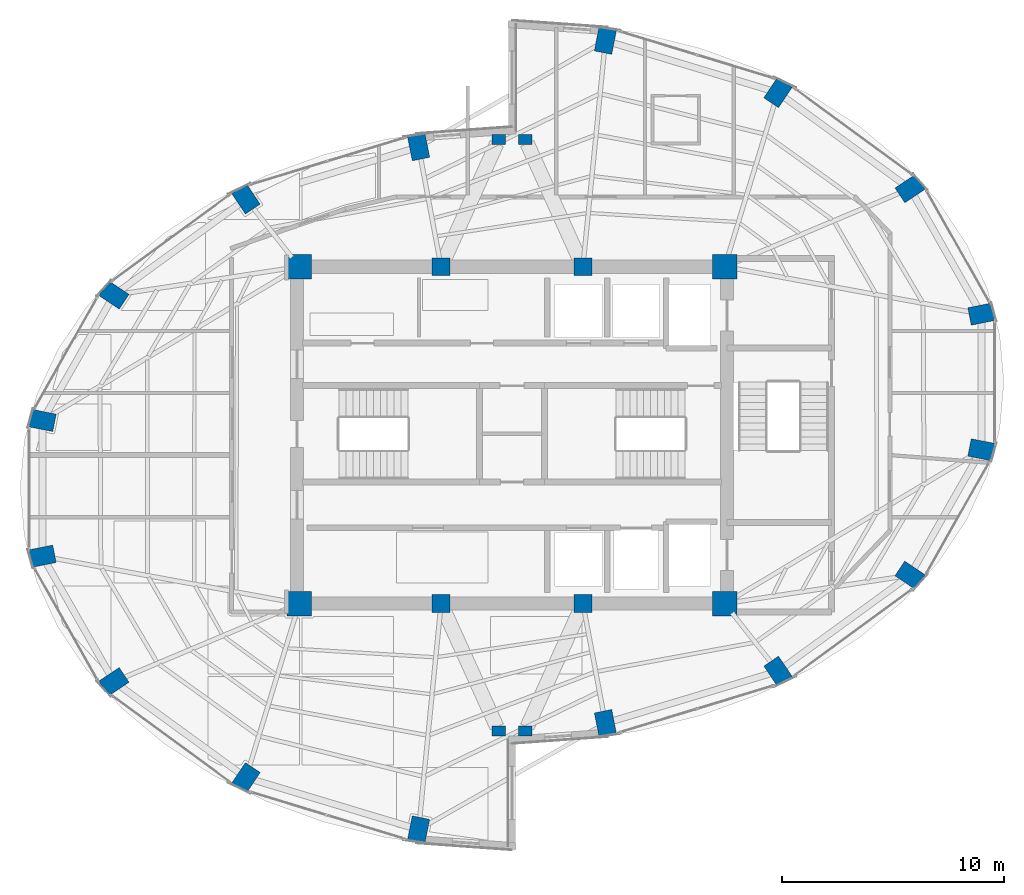
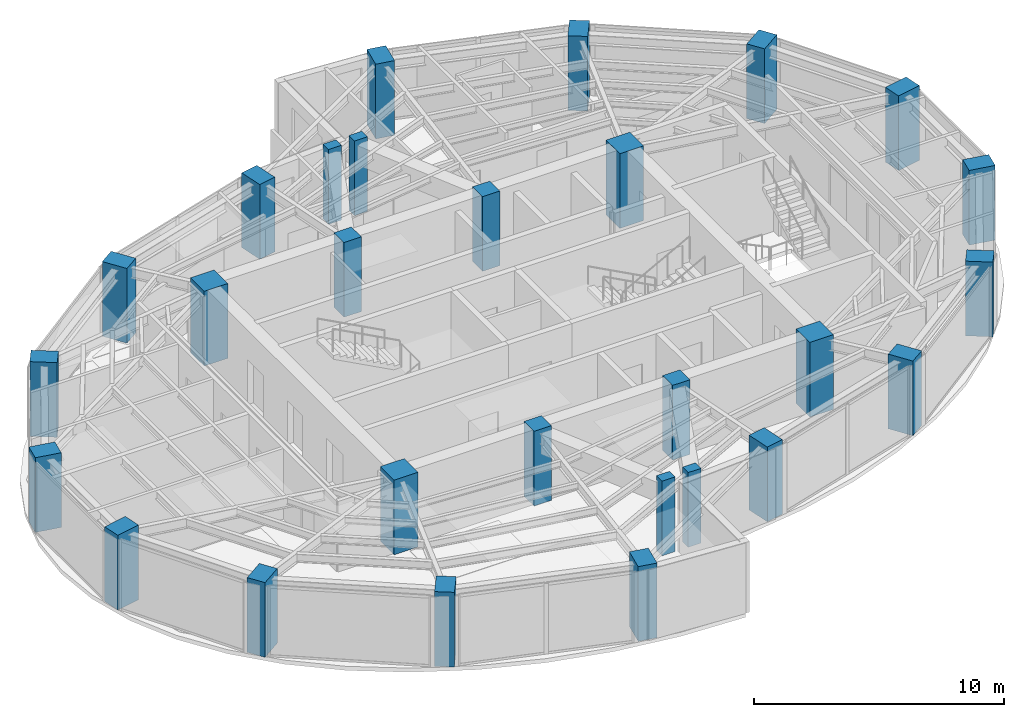
# One storey, part 1 of 23: 28 columns.
"""IFC4 building model written with IfcOpenShell, lengths in metres."""

from ifc_helpers import new_model, si_unit, direction, frame, origin, origin_2d, place, context, subcontext, project, spatial, rectangle, extrude, material, material_profile, profile_set, type_object, element, save


model = new_model("IFC4")

# Units and contexts
model_context = context("Model", 3, precision=1e-05, world=origin(), true_north=direction((0.0, 1.0)))
body_context = subcontext(model_context, "Body", "Model", "MODEL_VIEW")
ifc_project = project(units=[si_unit("LENGTHUNIT", "METRE"), si_unit("AREAUNIT", "SQUARE_METRE"), si_unit("VOLUMEUNIT", "CUBIC_METRE"), si_unit("PLANEANGLEUNIT", "RADIAN"), si_unit("MASSUNIT", "GRAM", prefix="KILO")], contexts=[model_context])

# Site, building, storey
site_placement = place(None, origin())
site = spatial("IfcSite", under=ifc_project, at=site_placement, CompositionType="ELEMENT")
building_placement = place(site_placement, origin())
building = spatial("IfcBuilding", under=site, at=building_placement, Name="Lazwardi Medical Tower", CompositionType="ELEMENT")
storey_placement = place(building_placement, frame((0.0, 0.0, 202.1279296875)))
storey = spatial("IfcBuildingStorey", under=building, at=storey_placement, Name="L52", CompositionType="ELEMENT", Elevation=202.1279296875)

# Columns
ifc_material_1 = material(Name="Concrete C80/95", Category="concrete")
ifc_material_profile_1 = material_profile(ifc_material_1, rectangle(XDim=1.10009765625, YDim=1.10009765625, at=origin_2d()), Name="RC 1100x1100")
ifc_profile_set_1 = profile_set([ifc_material_profile_1], Name="Concrete C80/95")
column_type_1 = type_object("IfcColumnType", Name="COL-CC-L", PredefinedType="COLUMN", material=ifc_profile_set_1)
for number, where, z_axis, x_axis, name in (
    (1, (26.39990234375, 20.39990234375, 0.0), (0.0, 0.0, 1.0), (1.0, 0.0, 0.0), "Core column CC-01 CC1 L52"),
    (2, (45.60009765625, 20.39990234375, 0.0), (0.0, 0.0, 1.0), (1.0, 0.0, 0.0), "Core column CC-01 CC4 L52"),
    (3, (45.60009765625, 35.60009765625, 0.0), (0.0, 0.0, 1.0), (1.0, 0.0, 0.0), "Core column CC-01 CC5 L52"),
    (4, (26.39990234375, 35.60009765625, 0.0), (0.0, 0.0, 1.0), (1.0, 0.0, 0.0), "Core column CC-01 CC8 L52"),
):
    element("IfcColumn", number, at=place(storey_placement, frame(where, z_axis=z_axis, x_axis=x_axis)), inside=storey, type_object=column_type_1, Name=name, PredefinedType="COLUMN", context=body_context, shape_type="SweptSolid", body=[
        extrude(rectangle(XDim=1.10009765625, YDim=1.10009765625, at=origin_2d()), origin(), (0.0, 0.0, 1.0), 3.64794921875),
    ])
ifc_material_2 = material(Name="Concrete C60/75", Category="concrete")
ifc_material_profile_2 = material_profile(ifc_material_2, rectangle(XDim=0.800048828125, YDim=0.800048828125, at=origin_2d()), Name="RC 800x800")
ifc_profile_set_2 = profile_set([ifc_material_profile_2], Name="Concrete C60/75")
column_type_2 = type_object("IfcColumnType", Name="COL-CC-U", PredefinedType="COLUMN", material=ifc_profile_set_2)
for number, where, z_axis, x_axis, name in (
    (5, (32.800048828125, 20.39990234375, 0.0), (0.0, 0.0, 1.0), (1.0, 0.0, 0.0), "Core column CC-03 CC2 L52"),
    (6, (39.199951171875, 20.39990234375, 0.0), (0.0, 0.0, 1.0), (1.0, 0.0, 0.0), "Core column CC-03 CC3 L52"),
    (7, (39.199951171875, 35.60009765625, 0.0), (0.0, 0.0, 1.0), (1.0, 0.0, 0.0), "Core column CC-03 CC6 L52"),
    (8, (32.800048828125, 35.60009765625, 0.0), (0.0, 0.0, 1.0), (1.0, 0.0, 0.0), "Core column CC-03 CC7 L52"),
):
    element("IfcColumn", number, at=place(storey_placement, frame(where, z_axis=z_axis, x_axis=x_axis)), inside=storey, type_object=column_type_2, Name=name, PredefinedType="COLUMN", context=body_context, shape_type="SweptSolid", body=[
        extrude(rectangle(XDim=0.800048828125, YDim=0.800048828125, at=origin_2d()), origin(), (0.0, 0.0, 1.0), 3.64794921875),
    ])
ifc_material_profile_3 = material_profile(ifc_material_2, rectangle(XDim=1.10009765625, YDim=0.800048828125, at=origin_2d()), Name="CFT-RECT 1100x800")
ifc_profile_set_3 = profile_set([ifc_material_profile_3], Name="Concrete C60/75")
column_type_3 = type_object("IfcColumnType", Name="COL-MC-Z4", PredefinedType="COLUMN", material=ifc_profile_set_3)
for number, where, z_axis, x_axis, name in (
    (9, (40.214111328125, 15.001708984375, 0.0), (0.0, 0.0, 1.0), (0.195090322016, -0.980785280403, 0.0), "Mega column MC-06 M01 L52"),
    (10, (48.000244140625, 17.345947265625, 0.0), (0.0, 0.0, 1.0), (0.55557023302, -0.831469612303, 0.0), "Mega column MC-06 M02 L52"),
    (11, (53.959716796875, 21.677490234375, 0.0), (0.0, 0.0, 1.0), (0.831469612303, -0.55557023302, 0.0), "Mega column MC-06 M03 L52"),
    (12, (57.18505859375, 27.337158203125, 0.0), (0.0, 0.0, 1.0), (0.980785280403, -0.195090322016, 0.0), "Mega column MC-06 M04 L52"),
    (13, (57.18505859375, 33.462890625, 0.0), (0.0, 0.0, 1.0), (0.980785280403, 0.195090322016, 0.0), "Mega column MC-06 M05 L52"),
    (14, (53.959716796875, 39.12255859375, 0.0), (0.0, 0.0, 1.0), (0.831469612303, 0.55557023302, 0.0), "Mega column MC-06 M06 L52"),
    (15, (48.000244140625, 43.4541015625, 0.0), (0.0, 0.0, 1.0), (0.55557023302, 0.831469612303, 0.0), "Mega column MC-06 M07 L52"),
    (16, (40.214111328125, 45.79833984375, 0.0), (0.0, 0.0, 1.0), (0.195090322016, 0.980785280403, 0.0), "Mega column MC-06 M08 L52"),
    (17, (31.785888671875, 40.998291015625, 0.0), (0.0, 0.0, 1.0), (-0.195090322016, 0.980785280403, 0.0), "Mega column MC-06 M09 L52"),
    (18, (23.999755859375, 38.654052734375, 0.0), (0.0, 0.0, 1.0), (-0.55557023302, 0.831469612303, 0.0), "Mega column MC-06 M10 L52"),
    (19, (18.040283203125, 34.322509765625, 0.0), (0.0, 0.0, 1.0), (-0.831469612303, 0.55557023302, 0.0), "Mega column MC-06 M11 L52"),
    (20, (14.81494140625, 28.662841796875, 0.0), (0.0, 0.0, 1.0), (-0.980785280403, 0.195090322016, 0.0), "Mega column MC-06 M12 L52"),
    (21, (14.81494140625, 22.537109375, 0.0), (0.0, 0.0, 1.0), (-0.980785280403, -0.195090322016, 0.0), "Mega column MC-06 M13 L52"),
    (22, (18.040283203125, 16.87744140625, 0.0), (0.0, 0.0, 1.0), (-0.831469612303, -0.55557023302, 0.0), "Mega column MC-06 M14 L52"),
    (23, (23.999755859375, 12.5458984375, 0.0), (0.0, 0.0, 1.0), (-0.55557023302, -0.831469612303, 0.0), "Mega column MC-06 M15 L52"),
    (24, (31.785888671875, 10.20166015625, 0.0), (0.0, 0.0, 1.0), (-0.195090322016, -0.980785280403, 0.0), "Mega column MC-06 M16 L52"),
):
    element("IfcColumn", number, at=place(storey_placement, frame(where, z_axis=z_axis, x_axis=x_axis)), inside=storey, type_object=column_type_3, Name=name, PredefinedType="COLUMN", context=body_context, shape_type="SweptSolid", body=[
        extrude(rectangle(XDim=1.10009765625, YDim=0.800048828125, at=origin_2d()), origin(), (0.0, 0.0, 1.0), 3.64794921875),
    ])
ifc_material_profile_4 = material_profile(ifc_material_2, rectangle(XDim=0.60009765625, YDim=0.449951171875, at=origin_2d()), Name="RC 600x450")
ifc_profile_set_4 = profile_set([ifc_material_profile_4], Name="Concrete C60/75")
column_type_4 = type_object("IfcColumnType", Name="COL-PL-IW", PredefinedType="PILASTER", material=ifc_profile_set_4)
for number, where, z_axis, x_axis, name in (
    (25, (35.39990234375, 41.35009765625, 0.0), (0.0, 0.0, 1.0), (1.0, 0.0, 0.0), "Iwan pilaster column PL-C1 PL1 L52"),
    (26, (36.60009765625, 41.35009765625, 0.0), (0.0, 0.0, 1.0), (1.0, 0.0, 0.0), "Iwan pilaster column PL-C1 PL2 L52"),
    (27, (35.39990234375, 14.64990234375, 0.0), (0.0, 0.0, 1.0), (1.0, 0.0, 0.0), "Iwan pilaster column PL-C1 PL3 L52"),
    (28, (36.60009765625, 14.64990234375, 0.0), (0.0, 0.0, 1.0), (1.0, 0.0, 0.0), "Iwan pilaster column PL-C1 PL4 L52"),
):
    element("IfcColumn", number, at=place(storey_placement, frame(where, z_axis=z_axis, x_axis=x_axis)), inside=storey, type_object=column_type_4, Name=name, PredefinedType="PILASTER", context=body_context, shape_type="SweptSolid", body=[
        extrude(rectangle(XDim=0.60009765625, YDim=0.449951171875, at=origin_2d()), origin(), (0.0, 0.0, 1.0), 3.64794921875),
    ])

save(model, "model.ifc")
